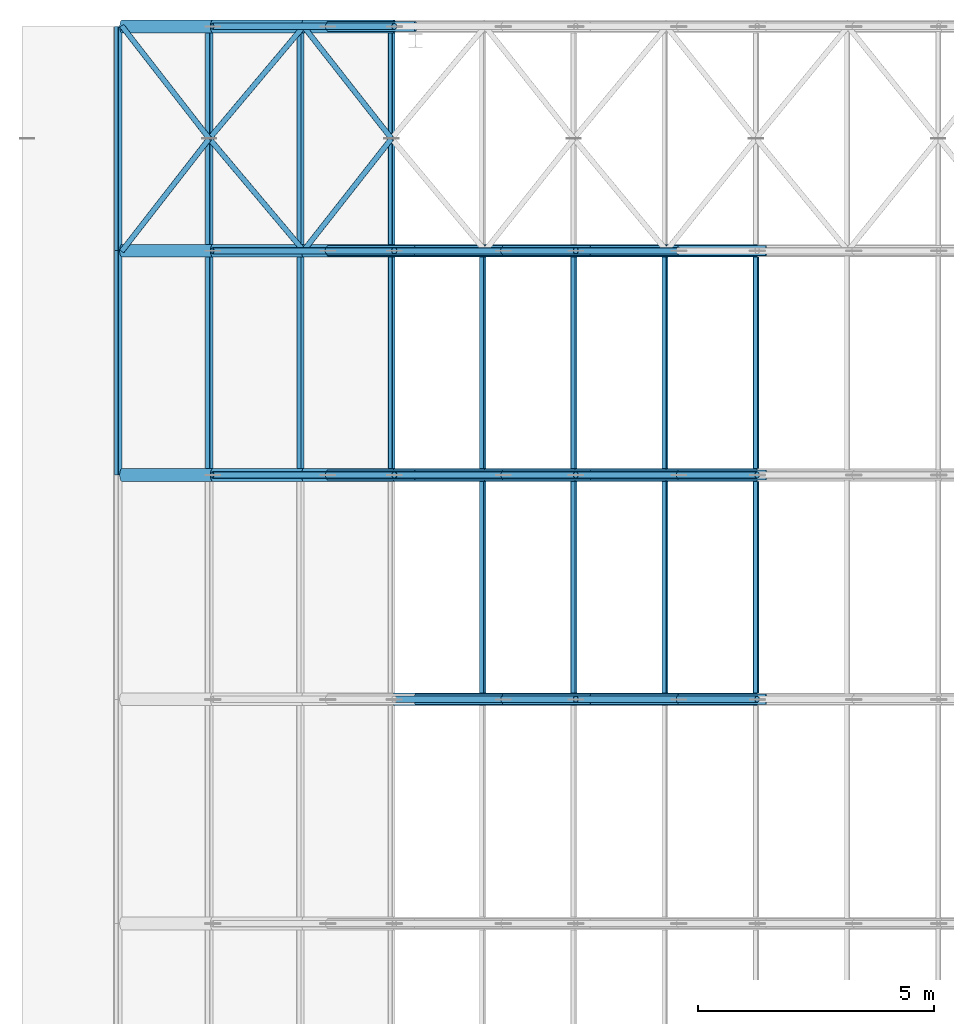
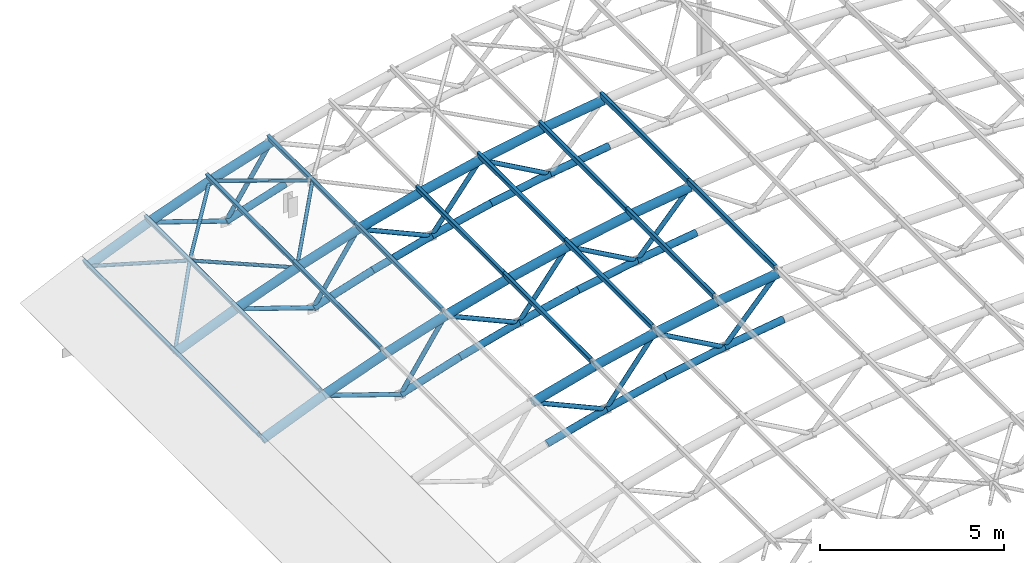
# One storey, part 4 of 22: 75 members.
"""IFC4 building model written with IfcOpenShell, lengths in metres."""

from ifc_helpers import new_model, si_unit, direction, frame, origin, origin_2d, place, context, subcontext, project, spatial, hollow_rectangle, hollow_circle, extrude, material, material_profile, profile_set, type_object, element, save


model = new_model("IFC4")

# Units and contexts
model_context = context("Model", 3, precision=1e-05, world=origin(), true_north=direction((0.0, 1.0)))
body_context = subcontext(model_context, "Body", "Model", "MODEL_VIEW")
ifc_project = project(units=[si_unit("LENGTHUNIT", "METRE"), si_unit("AREAUNIT", "SQUARE_METRE"), si_unit("VOLUMEUNIT", "CUBIC_METRE"), si_unit("PLANEANGLEUNIT", "RADIAN"), si_unit("MASSUNIT", "GRAM", prefix="KILO")], contexts=[model_context])

# Site, building, storey
site_placement = place(None, origin())
site = spatial("IfcSite", under=ifc_project, at=site_placement, CompositionType="ELEMENT")
building_placement = place(site_placement, origin())
building = spatial("IfcBuilding", under=site, at=building_placement, Name="Elbe Cascade School", CompositionType="ELEMENT")
storey_placement = place(building_placement, frame((0.0, 0.0, 18.89990234375)))
storey = spatial("IfcBuildingStorey", under=building, at=storey_placement, Name="R05", CompositionType="ELEMENT", Elevation=18.89990234375)

# Members
ifc_material_1 = material(Name="Steel S355J2H", Category="steel")
ifc_material_profile_1 = material_profile(ifc_material_1, hollow_circle(Radius=0.109619140625, WallThickness=0.012451171875, at=origin_2d()), Name="CHS 219.1x12.5")
ifc_profile_set_1 = profile_set([ifc_material_profile_1], Name="Steel S355J2H")
member_type_1 = type_object("IfcMemberType", Name="Hall rib bottom chord CHS 219.1x12.5", PredefinedType="CHORD", material=ifc_profile_set_1)
member_1_placement = place(storey_placement, frame((21.0, 55.25, 0.82763671875), z_axis=(0.965329694666, 0.0, 0.26103367713), x_axis=(0.0, 1.0, 0.0)))
element("IfcMember", 1, at=member_1_placement, inside=storey, type_object=member_type_1, Name="Hall rib bottom chord CHS 219.1x12.5 M3", PredefinedType="CHORD", context=body_context, shape_type="SweptSolid", body=[
    extrude(hollow_circle(Radius=0.109619140625, WallThickness=0.012451171875, at=origin_2d()), origin(), (0.0, 0.0, 1.0), 1.923828125),
])
member_2_placement = place(storey_placement, frame((22.857177734375, 55.25, 1.329833984375), z_axis=(0.975295060536, 0.0, 0.220906190259), x_axis=(0.0, 1.0, 0.0)))
element("IfcMember", 2, at=member_2_placement, inside=storey, type_object=member_type_1, Name="Hall rib bottom chord CHS 219.1x12.5 M3", PredefinedType="CHORD", context=body_context, shape_type="SweptSolid", body=[
    extrude(hollow_circle(Radius=0.109619140625, WallThickness=0.012451171875, at=origin_2d()), origin(), (0.0, 0.0, 1.0), 1.904296875),
])
member_3_placement = place(storey_placement, frame((24.71435546875, 55.25, 1.75048828125), z_axis=(0.9835518543, 0.0, 0.180625994539), x_axis=(0.0, 1.0, 0.0)))
element("IfcMember", 3, at=member_3_placement, inside=storey, type_object=member_type_1, Name="Hall rib bottom chord CHS 219.1x12.5 M3", PredefinedType="CHORD", context=body_context, shape_type="SweptSolid", body=[
    extrude(hollow_circle(Radius=0.109619140625, WallThickness=0.012451171875, at=origin_2d()), origin(), (0.0, 0.0, 1.0), 1.88818359375),
])
member_4_placement = place(storey_placement, frame((26.571533203125, 55.25, 2.091552734375), z_axis=(0.990068894629, 0.0, 0.140583014225), x_axis=(0.0, 1.0, 0.0)))
element("IfcMember", 4, at=member_4_placement, inside=storey, type_object=member_type_1, Name="Hall rib bottom chord CHS 219.1x12.5 M3", PredefinedType="CHORD", context=body_context, shape_type="SweptSolid", body=[
    extrude(hollow_circle(Radius=0.109619140625, WallThickness=0.012451171875, at=origin_2d()), origin(), (0.0, 0.0, 1.0), 1.87548828125),
])
member_5_placement = place(storey_placement, frame((19.142822265625, 60.0, 0.240966796875), z_axis=(0.953554243511, 0.0, 0.301221354957), x_axis=(0.0, 1.0, 0.0)))
element("IfcMember", 5, at=member_5_placement, inside=storey, type_object=member_type_1, Name="Hall rib bottom chord CHS 219.1x12.5 M3", PredefinedType="CHORD", context=body_context, shape_type="SweptSolid", body=[
    extrude(hollow_circle(Radius=0.109619140625, WallThickness=0.012451171875, at=origin_2d()), origin(), (0.0, 0.0, 1.0), 1.94775390625),
])
member_6_placement = place(storey_placement, frame((21.0, 60.0, 0.82763671875), z_axis=(0.965329694666, 0.0, 0.26103367713), x_axis=(0.0, 1.0, 0.0)))
element("IfcMember", 6, at=member_6_placement, inside=storey, type_object=member_type_1, Name="Hall rib bottom chord CHS 219.1x12.5 M3", PredefinedType="CHORD", context=body_context, shape_type="SweptSolid", body=[
    extrude(hollow_circle(Radius=0.109619140625, WallThickness=0.012451171875, at=origin_2d()), origin(), (0.0, 0.0, 1.0), 1.923828125),
])
member_7_placement = place(storey_placement, frame((22.857177734375, 60.0, 1.329833984375), z_axis=(0.975295060536, 0.0, 0.220906190259), x_axis=(0.0, 1.0, 0.0)))
element("IfcMember", 7, at=member_7_placement, inside=storey, type_object=member_type_1, Name="Hall rib bottom chord CHS 219.1x12.5 M3", PredefinedType="CHORD", context=body_context, shape_type="SweptSolid", body=[
    extrude(hollow_circle(Radius=0.109619140625, WallThickness=0.012451171875, at=origin_2d()), origin(), (0.0, 0.0, 1.0), 1.904296875),
])
member_8_placement = place(storey_placement, frame((24.71435546875, 60.0, 1.75048828125), z_axis=(0.9835518543, 0.0, 0.180625994539), x_axis=(0.0, 1.0, 0.0)))
element("IfcMember", 8, at=member_8_placement, inside=storey, type_object=member_type_1, Name="Hall rib bottom chord CHS 219.1x12.5 M3", PredefinedType="CHORD", context=body_context, shape_type="SweptSolid", body=[
    extrude(hollow_circle(Radius=0.109619140625, WallThickness=0.012451171875, at=origin_2d()), origin(), (0.0, 0.0, 1.0), 1.88818359375),
])
member_9_placement = place(storey_placement, frame((26.571533203125, 60.0, 2.091552734375), z_axis=(0.990068894629, 0.0, 0.140583014225), x_axis=(0.0, 1.0, 0.0)))
element("IfcMember", 9, at=member_9_placement, inside=storey, type_object=member_type_1, Name="Hall rib bottom chord CHS 219.1x12.5 M3", PredefinedType="CHORD", context=body_context, shape_type="SweptSolid", body=[
    extrude(hollow_circle(Radius=0.109619140625, WallThickness=0.012451171875, at=origin_2d()), origin(), (0.0, 0.0, 1.0), 1.87548828125),
])
member_10_placement = place(storey_placement, frame((19.142822265625, 64.75, 0.240966796875), z_axis=(0.953554243511, 0.0, 0.301221354957), x_axis=(0.0, 1.0, 0.0)))
element("IfcMember", 10, at=member_10_placement, inside=storey, type_object=member_type_1, Name="Hall rib bottom chord CHS 219.1x12.5 M3", PredefinedType="CHORD", context=body_context, shape_type="SweptSolid", body=[
    extrude(hollow_circle(Radius=0.109619140625, WallThickness=0.012451171875, at=origin_2d()), origin(), (0.0, 0.0, 1.0), 1.94775390625),
])
member_11_placement = place(storey_placement, frame((21.0, 64.75, 0.82763671875), z_axis=(0.965329694666, 0.0, 0.26103367713), x_axis=(0.0, 1.0, 0.0)))
element("IfcMember", 11, at=member_11_placement, inside=storey, type_object=member_type_1, Name="Hall rib bottom chord CHS 219.1x12.5 M3", PredefinedType="CHORD", context=body_context, shape_type="SweptSolid", body=[
    extrude(hollow_circle(Radius=0.109619140625, WallThickness=0.012451171875, at=origin_2d()), origin(), (0.0, 0.0, 1.0), 1.923828125),
])
member_12_placement = place(storey_placement, frame((22.857177734375, 64.75, 1.329833984375), z_axis=(0.975295060536, 0.0, 0.220906190259), x_axis=(0.0, 1.0, 0.0)))
element("IfcMember", 12, at=member_12_placement, inside=storey, type_object=member_type_1, Name="Hall rib bottom chord CHS 219.1x12.5 M3", PredefinedType="CHORD", context=body_context, shape_type="SweptSolid", body=[
    extrude(hollow_circle(Radius=0.109619140625, WallThickness=0.012451171875, at=origin_2d()), origin(), (0.0, 0.0, 1.0), 1.904296875),
])
member_13_placement = place(storey_placement, frame((24.71435546875, 64.75, 1.75048828125), z_axis=(0.9835518543, 0.0, 0.180625994539), x_axis=(0.0, 1.0, 0.0)))
element("IfcMember", 13, at=member_13_placement, inside=storey, type_object=member_type_1, Name="Hall rib bottom chord CHS 219.1x12.5 M3", PredefinedType="CHORD", context=body_context, shape_type="SweptSolid", body=[
    extrude(hollow_circle(Radius=0.109619140625, WallThickness=0.012451171875, at=origin_2d()), origin(), (0.0, 0.0, 1.0), 1.88818359375),
])
member_14_placement = place(storey_placement, frame((26.571533203125, 64.75, 2.091552734375), z_axis=(0.990068894629, 0.0, 0.140583014225), x_axis=(0.0, 1.0, 0.0)))
element("IfcMember", 14, at=member_14_placement, inside=storey, type_object=member_type_1, Name="Hall rib bottom chord CHS 219.1x12.5 M3", PredefinedType="CHORD", context=body_context, shape_type="SweptSolid", body=[
    extrude(hollow_circle(Radius=0.109619140625, WallThickness=0.012451171875, at=origin_2d()), origin(), (0.0, 0.0, 1.0), 1.87548828125),
])
member_15_placement = place(storey_placement, frame((19.142822265625, 69.5, 0.240966796875), z_axis=(0.953554243511, 0.0, 0.301221354957), x_axis=(0.0, 1.0, 0.0)))
element("IfcMember", 15, at=member_15_placement, inside=storey, type_object=member_type_1, Name="Hall rib bottom chord CHS 219.1x12.5 M3", PredefinedType="CHORD", context=body_context, shape_type="SweptSolid", body=[
    extrude(hollow_circle(Radius=0.109619140625, WallThickness=0.012451171875, at=origin_2d()), origin(), (0.0, 0.0, 1.0), 1.94775390625),
])
ifc_material_2 = material(Name="Steel S355J2H", Category="steel")
ifc_material_profile_2 = material_profile(ifc_material_2, hollow_circle(Radius=0.136474609375, WallThickness=0.012451171875, at=origin_2d()), Name="CHS 273x12.5")
ifc_profile_set_2 = profile_set([ifc_material_profile_2], Name="Steel S355J2H")
member_type_2 = type_object("IfcMemberType", Name="Hall rib top chord CHS 273x12.5", PredefinedType="CHORD", material=ifc_profile_set_2)
member_16_placement = place(storey_placement, frame((20.55029296875, 55.25, 2.363037109375), z_axis=(0.965333327016, 0.0, 0.26102024395), x_axis=(0.0, 1.0, 0.0)))
element("IfcMember", 16, at=member_16_placement, inside=storey, type_object=member_type_2, Name="Hall rib top chord CHS 273x12.5 M2", PredefinedType="CHORD", context=body_context, shape_type="SweptSolid", body=[
    extrude(hollow_circle(Radius=0.136474609375, WallThickness=0.012451171875, at=origin_2d()), origin(), (0.0, 0.0, 1.0), 1.990478515625),
])
member_17_placement = place(storey_placement, frame((22.4716796875, 55.25, 2.882568359375), z_axis=(0.975283578549, 0.0, 0.220956876817), x_axis=(0.0, 1.0, 0.0)))
element("IfcMember", 17, at=member_17_placement, inside=storey, type_object=member_type_2, Name="Hall rib top chord CHS 273x12.5 M2", PredefinedType="CHORD", context=body_context, shape_type="SweptSolid", body=[
    extrude(hollow_circle(Radius=0.136474609375, WallThickness=0.012451171875, at=origin_2d()), origin(), (0.0, 0.0, 1.0), 1.969970703125),
])
member_18_placement = place(storey_placement, frame((24.39306640625, 55.25, 3.31787109375), z_axis=(0.983536288489, 0.0, 0.180710733565), x_axis=(0.0, 1.0, 0.0)))
element("IfcMember", 18, at=member_18_placement, inside=storey, type_object=member_type_2, Name="Hall rib top chord CHS 273x12.5 M2", PredefinedType="CHORD", context=body_context, shape_type="SweptSolid", body=[
    extrude(hollow_circle(Radius=0.136474609375, WallThickness=0.012451171875, at=origin_2d()), origin(), (0.0, 0.0, 1.0), 1.95361328125),
])
member_19_placement = place(storey_placement, frame((26.314453125, 55.25, 3.6708984375), z_axis=(0.990077406218, 0.0, 0.140523057528), x_axis=(0.0, 1.0, 0.0)))
element("IfcMember", 19, at=member_19_placement, inside=storey, type_object=member_type_2, Name="Hall rib top chord CHS 273x12.5 M2", PredefinedType="CHORD", context=body_context, shape_type="SweptSolid", body=[
    extrude(hollow_circle(Radius=0.136474609375, WallThickness=0.012451171875, at=origin_2d()), origin(), (0.0, 0.0, 1.0), 1.940673828125),
])
member_20_placement = place(storey_placement, frame((14.7861328125, 60.0, 0.26513671875), z_axis=(0.924371303733, 0.0, 0.381494027259), x_axis=(0.0, 1.0, 0.0)))
element("IfcMember", 20, at=member_20_placement, inside=storey, type_object=member_type_2, Name="Hall rib top chord CHS 273x12.5 M2", PredefinedType="CHORD", context=body_context, shape_type="SweptSolid", body=[
    extrude(hollow_circle(Radius=0.136474609375, WallThickness=0.012451171875, at=origin_2d()), origin(), (0.0, 0.0, 1.0), 2.07861328125),
])
member_21_placement = place(storey_placement, frame((16.70751953125, 60.0, 1.05810546875), z_axis=(0.939901472249, 0.0, 0.341445782612), x_axis=(0.0, 1.0, 0.0)))
element("IfcMember", 21, at=member_21_placement, inside=storey, type_object=member_type_2, Name="Hall rib top chord CHS 273x12.5 M2", PredefinedType="CHORD", context=body_context, shape_type="SweptSolid", body=[
    extrude(hollow_circle(Radius=0.136474609375, WallThickness=0.012451171875, at=origin_2d()), origin(), (0.0, 0.0, 1.0), 2.044189453125),
])
member_22_placement = place(storey_placement, frame((18.62890625, 60.0, 1.756103515625), z_axis=(0.953557025061, 0.0, 0.301212549467), x_axis=(0.0, 1.0, 0.0)))
element("IfcMember", 22, at=member_22_placement, inside=storey, type_object=member_type_2, Name="Hall rib top chord CHS 273x12.5 M2", PredefinedType="CHORD", context=body_context, shape_type="SweptSolid", body=[
    extrude(hollow_circle(Radius=0.136474609375, WallThickness=0.012451171875, at=origin_2d()), origin(), (0.0, 0.0, 1.0), 2.014892578125),
])
member_23_placement = place(storey_placement, frame((20.55029296875, 60.0, 2.363037109375), z_axis=(0.965333327016, 0.0, 0.26102024395), x_axis=(0.0, 1.0, 0.0)))
element("IfcMember", 23, at=member_23_placement, inside=storey, type_object=member_type_2, Name="Hall rib top chord CHS 273x12.5 M2", PredefinedType="CHORD", context=body_context, shape_type="SweptSolid", body=[
    extrude(hollow_circle(Radius=0.136474609375, WallThickness=0.012451171875, at=origin_2d()), origin(), (0.0, 0.0, 1.0), 1.990478515625),
])
member_24_placement = place(storey_placement, frame((22.4716796875, 60.0, 2.882568359375), z_axis=(0.975283578549, 0.0, 0.220956876817), x_axis=(0.0, 1.0, 0.0)))
element("IfcMember", 24, at=member_24_placement, inside=storey, type_object=member_type_2, Name="Hall rib top chord CHS 273x12.5 M2", PredefinedType="CHORD", context=body_context, shape_type="SweptSolid", body=[
    extrude(hollow_circle(Radius=0.136474609375, WallThickness=0.012451171875, at=origin_2d()), origin(), (0.0, 0.0, 1.0), 1.969970703125),
])
member_25_placement = place(storey_placement, frame((24.39306640625, 60.0, 3.31787109375), z_axis=(0.983536288489, 0.0, 0.180710733565), x_axis=(0.0, 1.0, 0.0)))
element("IfcMember", 25, at=member_25_placement, inside=storey, type_object=member_type_2, Name="Hall rib top chord CHS 273x12.5 M2", PredefinedType="CHORD", context=body_context, shape_type="SweptSolid", body=[
    extrude(hollow_circle(Radius=0.136474609375, WallThickness=0.012451171875, at=origin_2d()), origin(), (0.0, 0.0, 1.0), 1.95361328125),
])
member_26_placement = place(storey_placement, frame((26.314453125, 60.0, 3.6708984375), z_axis=(0.990077406218, 0.0, 0.140523057528), x_axis=(0.0, 1.0, 0.0)))
element("IfcMember", 26, at=member_26_placement, inside=storey, type_object=member_type_2, Name="Hall rib top chord CHS 273x12.5 M2", PredefinedType="CHORD", context=body_context, shape_type="SweptSolid", body=[
    extrude(hollow_circle(Radius=0.136474609375, WallThickness=0.012451171875, at=origin_2d()), origin(), (0.0, 0.0, 1.0), 1.940673828125),
])
member_27_placement = place(storey_placement, frame((14.7861328125, 64.75, 0.26513671875), z_axis=(0.924371303733, 0.0, 0.381494027259), x_axis=(0.0, 1.0, 0.0)))
element("IfcMember", 27, at=member_27_placement, inside=storey, type_object=member_type_2, Name="Hall rib top chord CHS 273x12.5 M2", PredefinedType="CHORD", context=body_context, shape_type="SweptSolid", body=[
    extrude(hollow_circle(Radius=0.136474609375, WallThickness=0.012451171875, at=origin_2d()), origin(), (0.0, 0.0, 1.0), 2.07861328125),
])
member_28_placement = place(storey_placement, frame((16.70751953125, 64.75, 1.05810546875), z_axis=(0.939901472249, 0.0, 0.341445782612), x_axis=(0.0, 1.0, 0.0)))
element("IfcMember", 28, at=member_28_placement, inside=storey, type_object=member_type_2, Name="Hall rib top chord CHS 273x12.5 M2", PredefinedType="CHORD", context=body_context, shape_type="SweptSolid", body=[
    extrude(hollow_circle(Radius=0.136474609375, WallThickness=0.012451171875, at=origin_2d()), origin(), (0.0, 0.0, 1.0), 2.044189453125),
])
member_29_placement = place(storey_placement, frame((18.62890625, 64.75, 1.756103515625), z_axis=(0.953557025061, 0.0, 0.301212549467), x_axis=(0.0, 1.0, 0.0)))
element("IfcMember", 29, at=member_29_placement, inside=storey, type_object=member_type_2, Name="Hall rib top chord CHS 273x12.5 M2", PredefinedType="CHORD", context=body_context, shape_type="SweptSolid", body=[
    extrude(hollow_circle(Radius=0.136474609375, WallThickness=0.012451171875, at=origin_2d()), origin(), (0.0, 0.0, 1.0), 2.014892578125),
])
member_30_placement = place(storey_placement, frame((20.55029296875, 64.75, 2.363037109375), z_axis=(0.965333327016, 0.0, 0.26102024395), x_axis=(0.0, 1.0, 0.0)))
element("IfcMember", 30, at=member_30_placement, inside=storey, type_object=member_type_2, Name="Hall rib top chord CHS 273x12.5 M2", PredefinedType="CHORD", context=body_context, shape_type="SweptSolid", body=[
    extrude(hollow_circle(Radius=0.136474609375, WallThickness=0.012451171875, at=origin_2d()), origin(), (0.0, 0.0, 1.0), 1.990478515625),
])
member_31_placement = place(storey_placement, frame((22.4716796875, 64.75, 2.882568359375), z_axis=(0.975283578549, 0.0, 0.220956876817), x_axis=(0.0, 1.0, 0.0)))
element("IfcMember", 31, at=member_31_placement, inside=storey, type_object=member_type_2, Name="Hall rib top chord CHS 273x12.5 M2", PredefinedType="CHORD", context=body_context, shape_type="SweptSolid", body=[
    extrude(hollow_circle(Radius=0.136474609375, WallThickness=0.012451171875, at=origin_2d()), origin(), (0.0, 0.0, 1.0), 1.969970703125),
])
member_32_placement = place(storey_placement, frame((24.39306640625, 64.75, 3.31787109375), z_axis=(0.983536288489, 0.0, 0.180710733565), x_axis=(0.0, 1.0, 0.0)))
element("IfcMember", 32, at=member_32_placement, inside=storey, type_object=member_type_2, Name="Hall rib top chord CHS 273x12.5 M2", PredefinedType="CHORD", context=body_context, shape_type="SweptSolid", body=[
    extrude(hollow_circle(Radius=0.136474609375, WallThickness=0.012451171875, at=origin_2d()), origin(), (0.0, 0.0, 1.0), 1.95361328125),
])
member_33_placement = place(storey_placement, frame((26.314453125, 64.75, 3.6708984375), z_axis=(0.990077406218, 0.0, 0.140523057528), x_axis=(0.0, 1.0, 0.0)))
element("IfcMember", 33, at=member_33_placement, inside=storey, type_object=member_type_2, Name="Hall rib top chord CHS 273x12.5 M2", PredefinedType="CHORD", context=body_context, shape_type="SweptSolid", body=[
    extrude(hollow_circle(Radius=0.136474609375, WallThickness=0.012451171875, at=origin_2d()), origin(), (0.0, 0.0, 1.0), 1.940673828125),
])
member_34_placement = place(storey_placement, frame((14.7861328125, 69.5, 0.26513671875), z_axis=(0.924371303733, 0.0, 0.381494027259), x_axis=(0.0, 1.0, 0.0)))
element("IfcMember", 34, at=member_34_placement, inside=storey, type_object=member_type_2, Name="Hall rib top chord CHS 273x12.5 M2", PredefinedType="CHORD", context=body_context, shape_type="SweptSolid", body=[
    extrude(hollow_circle(Radius=0.136474609375, WallThickness=0.012451171875, at=origin_2d()), origin(), (0.0, 0.0, 1.0), 2.07861328125),
])
member_35_placement = place(storey_placement, frame((16.70751953125, 69.5, 1.05810546875), z_axis=(0.939901472249, 0.0, 0.341445782612), x_axis=(0.0, 1.0, 0.0)))
element("IfcMember", 35, at=member_35_placement, inside=storey, type_object=member_type_2, Name="Hall rib top chord CHS 273x12.5 M2", PredefinedType="CHORD", context=body_context, shape_type="SweptSolid", body=[
    extrude(hollow_circle(Radius=0.136474609375, WallThickness=0.012451171875, at=origin_2d()), origin(), (0.0, 0.0, 1.0), 2.044189453125),
])
member_36_placement = place(storey_placement, frame((18.62890625, 69.5, 1.756103515625), z_axis=(0.953557025061, 0.0, 0.301212549467), x_axis=(0.0, 1.0, 0.0)))
element("IfcMember", 36, at=member_36_placement, inside=storey, type_object=member_type_2, Name="Hall rib top chord CHS 273x12.5 M2", PredefinedType="CHORD", context=body_context, shape_type="SweptSolid", body=[
    extrude(hollow_circle(Radius=0.136474609375, WallThickness=0.012451171875, at=origin_2d()), origin(), (0.0, 0.0, 1.0), 2.014892578125),
])
ifc_material_3 = material(Name="Steel S355J2H", Category="steel")
ifc_material_profile_3 = material_profile(ifc_material_3, hollow_circle(Radius=0.06982421875, WallThickness=0.008056640625, at=origin_2d()), Name="CHS 139.7x8")
ifc_profile_set_3 = profile_set([ifc_material_profile_3], Name="Steel S355J2H")
member_type_3 = type_object("IfcMemberType", Name="Hall rib web CHS 139.7x8", PredefinedType="BRACE", material=ifc_profile_set_3)
member_37_placement = place(storey_placement, frame((20.55029296875, 55.25, 2.363037109375), z_axis=(0.91264478228, 0.0, -0.408753594942), x_axis=(0.0, 1.0, 0.0)))
element("IfcMember", 37, at=member_37_placement, inside=storey, type_object=member_type_3, Name="Hall rib web CHS 139.7x8 M4", PredefinedType="BRACE", context=body_context, shape_type="SweptSolid", body=[
    extrude(hollow_circle(Radius=0.06982421875, WallThickness=0.008056640625, at=origin_2d()), origin(), (0.0, 0.0, 1.0), 2.527587890625),
])
member_38_placement = place(storey_placement, frame((22.857177734375, 55.25, 1.329833984375), z_axis=(0.611367288824, 0.0, 0.791346977094), x_axis=(0.0, 1.0, 0.0)))
element("IfcMember", 38, at=member_38_placement, inside=storey, type_object=member_type_3, Name="Hall rib web CHS 139.7x8 M4", PredefinedType="BRACE", context=body_context, shape_type="SweptSolid", body=[
    extrude(hollow_circle(Radius=0.06982421875, WallThickness=0.008056640625, at=origin_2d()), origin(), (0.0, 0.0, 1.0), 2.51220703125),
])
member_39_placement = place(storey_placement, frame((24.39306640625, 55.25, 3.31787109375), z_axis=(0.871416395959, 0.0, -0.49054404986), x_axis=(0.0, 1.0, 0.0)))
element("IfcMember", 39, at=member_39_placement, inside=storey, type_object=member_type_3, Name="Hall rib web CHS 139.7x8 M4", PredefinedType="BRACE", context=body_context, shape_type="SweptSolid", body=[
    extrude(hollow_circle(Radius=0.06982421875, WallThickness=0.008056640625, at=origin_2d()), origin(), (0.0, 0.0, 1.0), 2.5),
])
member_40_placement = place(storey_placement, frame((26.571533203125, 55.25, 2.091552734375), z_axis=(0.668401163046, 0.0, 0.743800971523), x_axis=(0.0, 1.0, 0.0)))
element("IfcMember", 40, at=member_40_placement, inside=storey, type_object=member_type_3, Name="Hall rib web CHS 139.7x8 M4", PredefinedType="BRACE", context=body_context, shape_type="SweptSolid", body=[
    extrude(hollow_circle(Radius=0.06982421875, WallThickness=0.008056640625, at=origin_2d()), origin(), (0.0, 0.0, 1.0), 2.489990234375),
])
member_41_placement = place(storey_placement, frame((16.70751953125, 60.0, 1.05810546875), z_axis=(0.948054147637, 0.0, -0.318108995704), x_axis=(0.0, 1.0, 0.0)))
element("IfcMember", 41, at=member_41_placement, inside=storey, type_object=member_type_3, Name="Hall rib web CHS 139.7x8 M4", PredefinedType="BRACE", context=body_context, shape_type="SweptSolid", body=[
    extrude(hollow_circle(Radius=0.06982421875, WallThickness=0.008056640625, at=origin_2d()), origin(), (0.0, 0.0, 1.0), 2.56884765625),
])
member_42_placement = place(storey_placement, frame((19.142822265625, 60.0, 0.240966796875), z_axis=(0.552729481787, 0.0, 0.833360738194), x_axis=(0.0, 1.0, 0.0)))
element("IfcMember", 42, at=member_42_placement, inside=storey, type_object=member_type_3, Name="Hall rib web CHS 139.7x8 M4", PredefinedType="BRACE", context=body_context, shape_type="SweptSolid", body=[
    extrude(hollow_circle(Radius=0.06982421875, WallThickness=0.008056640625, at=origin_2d()), origin(), (0.0, 0.0, 1.0), 2.54638671875),
])
member_43_placement = place(storey_placement, frame((20.55029296875, 60.0, 2.363037109375), z_axis=(0.91264478228, 0.0, -0.408753594942), x_axis=(0.0, 1.0, 0.0)))
element("IfcMember", 43, at=member_43_placement, inside=storey, type_object=member_type_3, Name="Hall rib web CHS 139.7x8 M4", PredefinedType="BRACE", context=body_context, shape_type="SweptSolid", body=[
    extrude(hollow_circle(Radius=0.06982421875, WallThickness=0.008056640625, at=origin_2d()), origin(), (0.0, 0.0, 1.0), 2.527587890625),
])
member_44_placement = place(storey_placement, frame((22.857177734375, 60.0, 1.329833984375), z_axis=(0.611367288824, 0.0, 0.791346977094), x_axis=(0.0, 1.0, 0.0)))
element("IfcMember", 44, at=member_44_placement, inside=storey, type_object=member_type_3, Name="Hall rib web CHS 139.7x8 M4", PredefinedType="BRACE", context=body_context, shape_type="SweptSolid", body=[
    extrude(hollow_circle(Radius=0.06982421875, WallThickness=0.008056640625, at=origin_2d()), origin(), (0.0, 0.0, 1.0), 2.51220703125),
])
member_45_placement = place(storey_placement, frame((24.39306640625, 60.0, 3.31787109375), z_axis=(0.871416395959, 0.0, -0.49054404986), x_axis=(0.0, 1.0, 0.0)))
element("IfcMember", 45, at=member_45_placement, inside=storey, type_object=member_type_3, Name="Hall rib web CHS 139.7x8 M4", PredefinedType="BRACE", context=body_context, shape_type="SweptSolid", body=[
    extrude(hollow_circle(Radius=0.06982421875, WallThickness=0.008056640625, at=origin_2d()), origin(), (0.0, 0.0, 1.0), 2.5),
])
member_46_placement = place(storey_placement, frame((26.571533203125, 60.0, 2.091552734375), z_axis=(0.668401163046, 0.0, 0.743800971523), x_axis=(0.0, 1.0, 0.0)))
element("IfcMember", 46, at=member_46_placement, inside=storey, type_object=member_type_3, Name="Hall rib web CHS 139.7x8 M4", PredefinedType="BRACE", context=body_context, shape_type="SweptSolid", body=[
    extrude(hollow_circle(Radius=0.06982421875, WallThickness=0.008056640625, at=origin_2d()), origin(), (0.0, 0.0, 1.0), 2.489990234375),
])
member_47_placement = place(storey_placement, frame((16.70751953125, 64.75, 1.05810546875), z_axis=(0.948054147637, 0.0, -0.318108995704), x_axis=(0.0, 1.0, 0.0)))
element("IfcMember", 47, at=member_47_placement, inside=storey, type_object=member_type_3, Name="Hall rib web CHS 139.7x8 M4", PredefinedType="BRACE", context=body_context, shape_type="SweptSolid", body=[
    extrude(hollow_circle(Radius=0.06982421875, WallThickness=0.008056640625, at=origin_2d()), origin(), (0.0, 0.0, 1.0), 2.56884765625),
])
member_48_placement = place(storey_placement, frame((19.142822265625, 64.75, 0.240966796875), z_axis=(0.552729481787, 0.0, 0.833360738194), x_axis=(0.0, 1.0, 0.0)))
element("IfcMember", 48, at=member_48_placement, inside=storey, type_object=member_type_3, Name="Hall rib web CHS 139.7x8 M4", PredefinedType="BRACE", context=body_context, shape_type="SweptSolid", body=[
    extrude(hollow_circle(Radius=0.06982421875, WallThickness=0.008056640625, at=origin_2d()), origin(), (0.0, 0.0, 1.0), 2.54638671875),
])
member_49_placement = place(storey_placement, frame((20.55029296875, 64.75, 2.363037109375), z_axis=(0.91264478228, 0.0, -0.408753594942), x_axis=(0.0, 1.0, 0.0)))
element("IfcMember", 49, at=member_49_placement, inside=storey, type_object=member_type_3, Name="Hall rib web CHS 139.7x8 M4", PredefinedType="BRACE", context=body_context, shape_type="SweptSolid", body=[
    extrude(hollow_circle(Radius=0.06982421875, WallThickness=0.008056640625, at=origin_2d()), origin(), (0.0, 0.0, 1.0), 2.527587890625),
])
member_50_placement = place(storey_placement, frame((22.857177734375, 64.75, 1.329833984375), z_axis=(0.611367288824, 0.0, 0.791346977094), x_axis=(0.0, 1.0, 0.0)))
element("IfcMember", 50, at=member_50_placement, inside=storey, type_object=member_type_3, Name="Hall rib web CHS 139.7x8 M4", PredefinedType="BRACE", context=body_context, shape_type="SweptSolid", body=[
    extrude(hollow_circle(Radius=0.06982421875, WallThickness=0.008056640625, at=origin_2d()), origin(), (0.0, 0.0, 1.0), 2.51220703125),
])
member_51_placement = place(storey_placement, frame((24.39306640625, 64.75, 3.31787109375), z_axis=(0.871416395959, 0.0, -0.49054404986), x_axis=(0.0, 1.0, 0.0)))
element("IfcMember", 51, at=member_51_placement, inside=storey, type_object=member_type_3, Name="Hall rib web CHS 139.7x8 M4", PredefinedType="BRACE", context=body_context, shape_type="SweptSolid", body=[
    extrude(hollow_circle(Radius=0.06982421875, WallThickness=0.008056640625, at=origin_2d()), origin(), (0.0, 0.0, 1.0), 2.5),
])
member_52_placement = place(storey_placement, frame((16.70751953125, 69.5, 1.05810546875), z_axis=(0.948054147637, 0.0, -0.318108995704), x_axis=(0.0, 1.0, 0.0)))
element("IfcMember", 52, at=member_52_placement, inside=storey, type_object=member_type_3, Name="Hall rib web CHS 139.7x8 M4", PredefinedType="BRACE", context=body_context, shape_type="SweptSolid", body=[
    extrude(hollow_circle(Radius=0.06982421875, WallThickness=0.008056640625, at=origin_2d()), origin(), (0.0, 0.0, 1.0), 2.56884765625),
])
member_53_placement = place(storey_placement, frame((19.142822265625, 69.5, 0.240966796875), z_axis=(0.552729481787, 0.0, 0.833360738194), x_axis=(0.0, 1.0, 0.0)))
element("IfcMember", 53, at=member_53_placement, inside=storey, type_object=member_type_3, Name="Hall rib web CHS 139.7x8 M4", PredefinedType="BRACE", context=body_context, shape_type="SweptSolid", body=[
    extrude(hollow_circle(Radius=0.06982421875, WallThickness=0.008056640625, at=origin_2d()), origin(), (0.0, 0.0, 1.0), 2.54638671875),
])
ifc_material_4 = material(Name="Steel S355J2H", Category="steel")
ifc_material_profile_4 = material_profile(ifc_material_4, hollow_circle(Radius=0.05712890625, WallThickness=0.00634765625, at=origin_2d()), Name="CHS 114.3x6.3")
ifc_profile_set_4 = profile_set([ifc_material_profile_4], Name="Steel S355J2H")
member_type_4 = type_object("IfcMemberType", Name="Hall roof bracing CHS 114.3x6.3", PredefinedType="BRACE", material=ifc_profile_set_4)
member_54_placement = place(storey_placement, frame((16.6328125, 67.125, 1.250732421875), z_axis=(-0.583322813116, -0.750206812003, -0.311326572785), x_axis=(0.78943960306, -0.613828243991, 0.0)))
element("IfcMember", 54, at=member_54_placement, inside=storey, type_object=member_type_4, Name="Hall roof bracing CHS 114.3x6.3 M9", PredefinedType="BRACE", context=body_context, shape_type="SweptSolid", body=[
    extrude(hollow_circle(Radius=0.05712890625, WallThickness=0.00634765625, at=origin_2d()), origin(), (0.0, 0.0, 1.0), 3.165771484375),
])
member_55_placement = place(storey_placement, frame((16.6328125, 67.125, 1.250732421875), z_axis=(0.635028676085, 0.75557227996, 0.160776585066), x_axis=(-0.765531209015, 0.64339876284, 0.0)))
element("IfcMember", 55, at=member_55_placement, inside=storey, type_object=member_type_4, Name="Hall roof bracing CHS 114.3x6.3 M9", PredefinedType="BRACE", context=body_context, shape_type="SweptSolid", body=[
    extrude(hollow_circle(Radius=0.05712890625, WallThickness=0.00634765625, at=origin_2d()), origin(), (0.0, 0.0, 1.0), 3.143310546875),
])
member_56_placement = place(storey_placement, frame((16.6328125, 67.125, 1.250732421875), z_axis=(-0.583322813116, 0.750206812003, -0.311326572785), x_axis=(-0.78943960306, -0.613828243991, 0.0)))
element("IfcMember", 56, at=member_56_placement, inside=storey, type_object=member_type_4, Name="Hall roof bracing CHS 114.3x6.3 M9", PredefinedType="BRACE", context=body_context, shape_type="SweptSolid", body=[
    extrude(hollow_circle(Radius=0.05712890625, WallThickness=0.00634765625, at=origin_2d()), origin(), (0.0, 0.0, 1.0), 3.165771484375),
])
member_57_placement = place(storey_placement, frame((16.6328125, 67.125, 1.250732421875), z_axis=(0.635028676085, -0.75557227996, 0.160776585066), x_axis=(0.765531209015, 0.64339876284, 0.0)))
element("IfcMember", 57, at=member_57_placement, inside=storey, type_object=member_type_4, Name="Hall roof bracing CHS 114.3x6.3 M9", PredefinedType="BRACE", context=body_context, shape_type="SweptSolid", body=[
    extrude(hollow_circle(Radius=0.05712890625, WallThickness=0.00634765625, at=origin_2d()), origin(), (0.0, 0.0, 1.0), 3.143310546875),
])
for number, where, z_axis, x_axis, name in (
    (58, (20.4921875, 67.125, 2.561279296875), (-0.596398878053, -0.760189764898, -0.257720584358), (0.786767161878, -0.617249895092, 0.0), "Hall roof bracing CHS 114.3x6.3 M9"),
    (59, (20.4921875, 67.125, 2.561279296875), (-0.596398878053, 0.760189764898, -0.257720584358), (-0.786767161878, -0.617249895092, 0.0), "Hall roof bracing CHS 114.3x6.3 M9"),
):
    element("IfcMember", number, at=place(storey_placement, frame(where, z_axis=z_axis, x_axis=x_axis)), inside=storey, type_object=member_type_4, Name=name, PredefinedType="BRACE", context=body_context, shape_type="SweptSolid", body=[
        extrude(hollow_circle(Radius=0.05712890625, WallThickness=0.00634765625, at=origin_2d()), origin(), (0.0, 0.0, 1.0), 3.124267578125),
    ])
ifc_material_5 = material(Name="Steel S355J2H", Category="steel")
ifc_material_profile_5 = material_profile(ifc_material_5, hollow_rectangle(XDim=0.10009765625, YDim=0.199951171875, WallThickness=0.008056640625, InnerFilletRadius=0.008056640625, OuterFilletRadius=0.011962890625, at=origin_2d()), Name="RHS 200x100x8")
ifc_profile_set_5 = profile_set([ifc_material_profile_5], Name="Steel S355J2H")
member_type_5 = type_object("IfcMemberType", Name="Hall roof purlin RHS 200x100x8", PredefinedType="PURLIN", material=ifc_profile_set_5)
for number, where, z_axis, x_axis, name in (
    (60, (14.703125, 60.0, 0.4541015625), (0.0, 1.0, 0.0), (-0.915839556683, 0.0, -0.401544401549), "Hall roof purlin RHS 200x100x8 M8"),
    (61, (14.703125, 64.75, 0.4541015625), (0.0, 1.0, 0.0), (-0.915839556683, 0.0, -0.401544401549), "Hall roof purlin RHS 200x100x8 M8"),
    (62, (16.6328125, 60.0, 1.250732421875), (0.0, 1.0, 0.0), (-0.932414765977, 0.0, -0.361389961383), "Hall roof purlin RHS 200x100x8 M8"),
    (63, (16.6328125, 64.75, 1.250732421875), (0.0, 1.0, 0.0), (-0.932414765977, 0.0, -0.361389961383), "Hall roof purlin RHS 200x100x8 M8"),
    (64, (18.5625, 60.0, 1.95166015625), (0.0, 1.0, 0.0), (-0.946999334689, 0.0, -0.321235521227), "Hall roof purlin RHS 200x100x8 M8"),
    (65, (18.5625, 64.75, 1.95166015625), (0.0, 1.0, 0.0), (-0.946999334689, 0.0, -0.321235521227), "Hall roof purlin RHS 200x100x8 M8"),
    (66, (20.4921875, 60.0, 2.561279296875), (0.0, 1.0, 0.0), (-0.959684023967, 0.0, -0.281081081082), "Hall roof purlin RHS 200x100x8 M8"),
    (67, (20.4921875, 64.75, 2.561279296875), (0.0, 1.0, 0.0), (-0.959684023967, 0.0, -0.281081081082), "Hall roof purlin RHS 200x100x8 M8"),
    (68, (22.421875, 55.25, 3.0830078125), (0.0, 1.0, 0.0), (-0.970543329116, 0.0, -0.240926640925), "Hall roof purlin RHS 200x100x8 M8"),
    (69, (22.421875, 60.0, 3.0830078125), (0.0, 1.0, 0.0), (-0.970543329116, 0.0, -0.240926640925), "Hall roof purlin RHS 200x100x8 M8"),
    (70, (24.3515625, 55.25, 3.52001953125), (0.0, 1.0, 0.0), (-0.979637955265, 0.0, -0.200772200777), "Hall roof purlin RHS 200x100x8 M8"),
    (71, (24.3515625, 60.0, 3.52001953125), (0.0, 1.0, 0.0), (-0.979637955265, 0.0, -0.200772200777), "Hall roof purlin RHS 200x100x8 M8"),
    (72, (26.28125, 55.25, 3.874755859375), (0.0, 1.0, 0.0), (-0.987016684243, 0.0, -0.160617760615), "Hall roof purlin RHS 200x100x8 M8"),
    (73, (26.28125, 60.0, 3.874755859375), (0.0, 1.0, 0.0), (-0.987016684243, 0.0, -0.160617760615), "Hall roof purlin RHS 200x100x8 M8"),
    (74, (28.2109375, 55.25, 4.148681640625), (0.0, 1.0, 0.0), (-0.99271777884, 0.0, -0.120463320456), "Hall roof purlin RHS 200x100x8 M8"),
    (75, (28.2109375, 60.0, 4.148681640625), (0.0, 1.0, 0.0), (-0.99271777884, 0.0, -0.120463320456), "Hall roof purlin RHS 200x100x8 M8"),
):
    element("IfcMember", number, at=place(storey_placement, frame(where, z_axis=z_axis, x_axis=x_axis)), inside=storey, type_object=member_type_5, Name=name, PredefinedType="PURLIN", context=body_context, shape_type="SweptSolid", body=[
        extrude(hollow_rectangle(XDim=0.10009765625, YDim=0.199951171875, WallThickness=0.008056640625, InnerFilletRadius=0.008056640625, OuterFilletRadius=0.011962890625, at=origin_2d()), origin(), (0.0, 0.0, 1.0), 4.75),
    ])

save(model, "model.ifc")
